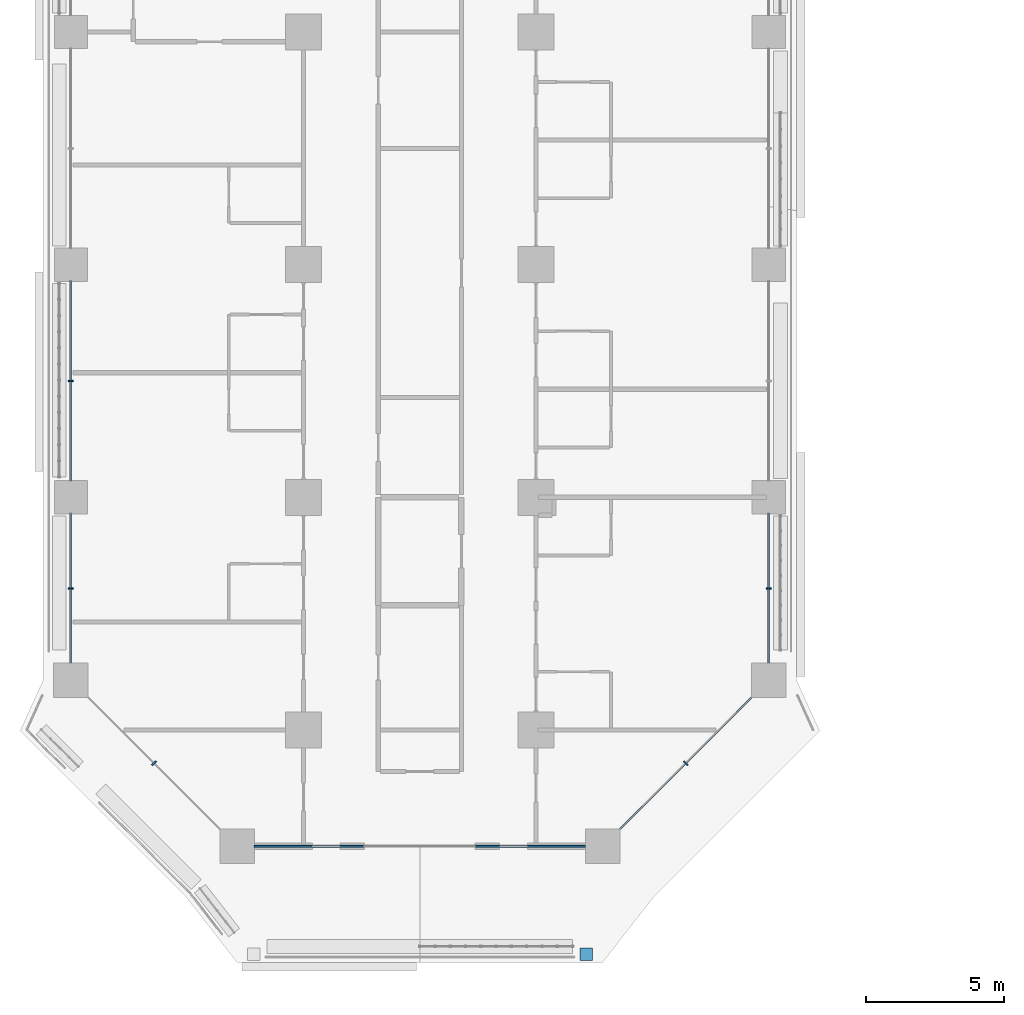
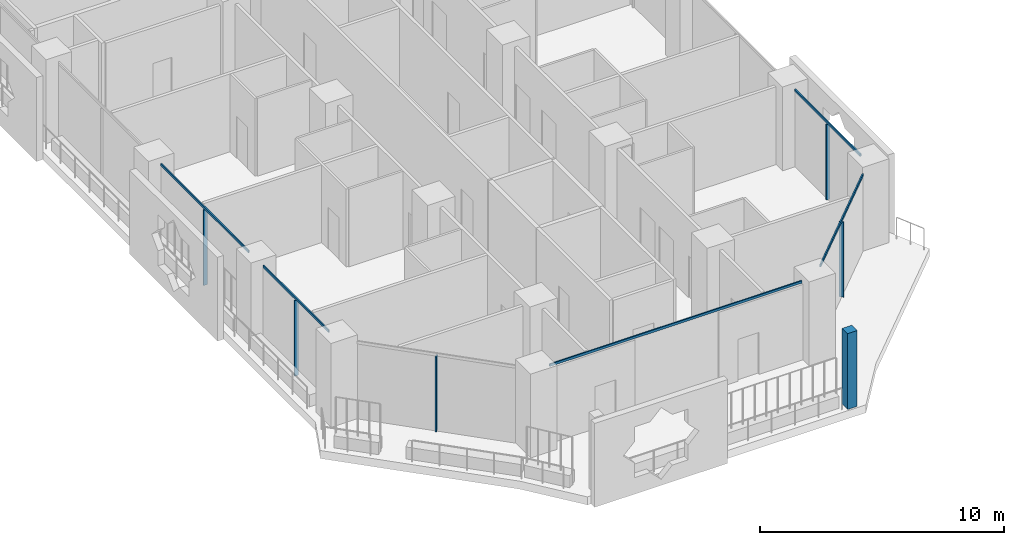
# One storey, part 2 of 29: 11 members, 6 elements without a shape of their own.
"""IFC4 building model written with IfcOpenShell, lengths in metres."""

from ifc_helpers import new_model, si_unit, direction, frame, origin, origin_2d, place, context, subcontext, project, spatial, rectangle, extrude, material, layer, layer_set, material_profile, profile_set, type_object, element, aggregate, save


model = new_model("IFC4")

# Units and contexts
model_context = context("Model", 3, precision=1e-05, world=origin(), true_north=direction((0.0, 1.0)))
body_context = subcontext(model_context, "Body", "Model", "MODEL_VIEW")
ifc_project = project(units=[si_unit("LENGTHUNIT", "METRE"), si_unit("AREAUNIT", "SQUARE_METRE"), si_unit("VOLUMEUNIT", "CUBIC_METRE"), si_unit("PLANEANGLEUNIT", "RADIAN"), si_unit("MASSUNIT", "GRAM", prefix="KILO")], contexts=[model_context])

# Site, building, storey
site_placement = place(None, origin())
site = spatial("IfcSite", under=ifc_project, at=site_placement, CompositionType="ELEMENT")
building_placement = place(site_placement, origin())
building = spatial("IfcBuilding", under=site, at=building_placement, Name="Kawkab Arch Medical Tower", CompositionType="ELEMENT")
storey_placement = place(building_placement, frame((0.0, 0.0, 60.199951171875)))
storey = spatial("IfcBuildingStorey", under=building, at=storey_placement, Name="L13", CompositionType="ELEMENT", Elevation=60.199951171875)

# Curtain wall, members
ifc_material_1 = material(Name="Bronze anodised aluminium curtain wall frame", Category="aluminium")
ifc_layer_1 = layer(ifc_material_1, 0.159912109375)
ifc_layer_set_1 = layer_set([ifc_layer_1], Name="Bronze anodised aluminium curtain wall frame")
curtain_wall_type_1 = type_object("IfcCurtainWallType", Name="CW1 ward curtain wall", PredefinedType="NOTDEFINED", material=ifc_layer_set_1)
placement = place(storey_placement, origin())
curtain_wall_1 = element("IfcCurtainWall", 1, at=placement, inside=storey, type_object=curtain_wall_type_1, Name="CW1 Ward curtain wall R01", PredefinedType="NOTDEFINED")
ifc_material_2 = material(Name="Bronze anodised aluminium curtain wall frame", Category="aluminium")
ifc_material_profile_1 = material_profile(ifc_material_2, rectangle(XDim=0.179931640625, YDim=0.06005859375, at=origin_2d()), Name="AL 60x180")
ifc_profile_set_1 = profile_set([ifc_material_profile_1], Name="Bronze anodised aluminium curtain wall frame")
member_type_1 = type_object("IfcMemberType", Name="CW1 mullion 60 x 180", PredefinedType="MULLION", material=ifc_profile_set_1)
member_1_placement = place(storey_placement, frame((0.0, -54.60009765625, 0.0), z_axis=(0.0, 0.0, 1.0), x_axis=(1.0, 0.0, 0.0)))
member_1 = element("IfcMember", 2, at=member_1_placement, type_object=member_type_1, Name="CW1 mullion 6.1", PredefinedType="MULLION", context=body_context, shape_type="SweptSolid", body=[
    extrude(rectangle(XDim=0.179931640625, YDim=0.06005859375, at=origin_2d()), origin(), (0.0, 0.0, 1.0), 3.780029296875),
])
member_2_placement = place(storey_placement, frame((0.0, -62.08740234375, 0.0), z_axis=(0.0, 0.0, 1.0), x_axis=(1.0, 0.0, 0.0)))
member_2 = element("IfcMember", 3, at=member_2_placement, type_object=member_type_1, Name="CW1 mullion 7.1", PredefinedType="MULLION", context=body_context, shape_type="SweptSolid", body=[
    extrude(rectangle(XDim=0.179931640625, YDim=0.06005859375, at=origin_2d()), origin(), (0.0, 0.0, 1.0), 3.780029296875),
])

# Curtain wall, member
curtain_wall_2 = element("IfcCurtainWall", 4, at=placement, inside=storey, type_object=curtain_wall_type_1, Name="CW1 Ward curtain wall R05", PredefinedType="NOTDEFINED")
member_3_placement = place(storey_placement, frame((25.199951171875, -62.08740234375, 0.0), z_axis=(0.0, 0.0, 1.0), x_axis=(-1.0, 0.0, 0.0)))
member_3 = element("IfcMember", 5, at=member_3_placement, type_object=member_type_1, Name="CW1 mullion 1.1", PredefinedType="MULLION", context=body_context, shape_type="SweptSolid", body=[
    extrude(rectangle(XDim=0.179931640625, YDim=0.06005859375, at=origin_2d()), origin(), (0.0, 0.0, 1.0), 3.780029296875),
])

# Member
ifc_material_3 = material(Name="Bronze anodised aluminium curtain wall frame", Category="aluminium")
ifc_material_profile_2 = material_profile(ifc_material_3, rectangle(XDim=0.06005859375, YDim=0.1201171875, at=origin_2d()), Name="AL 60x120")
ifc_profile_set_2 = profile_set([ifc_material_profile_2], Name="Bronze anodised aluminium curtain wall frame")
member_type_2 = type_object("IfcMemberType", Name="CW1 transom 120 x 60", PredefinedType="USERDEFINED", material=ifc_profile_set_2)
member_4_placement = place(storey_placement, frame((0.0, -51.0, 3.840087890625), z_axis=(0.0, -1.0, 0.0), x_axis=(1.0, 0.0, 0.0)))
member_4 = element("IfcMember", 6, at=member_4_placement, type_object=member_type_2, Name="CW1 transom 6", ObjectType="TRANSOM", PredefinedType="USERDEFINED", context=body_context, shape_type="SweptSolid", body=[
    extrude(rectangle(XDim=0.06005859375, YDim=0.1201171875, at=origin_2d()), origin(), (0.0, 0.0, 1.0), 7.199951171875),
])

member_5_placement = place(storey_placement, frame((0.0, -59.39990234375, 3.840087890625), z_axis=(0.0, -1.0, 0.0), x_axis=(1.0, 0.0, 0.0)))
member_5 = element("IfcMember", 7, at=member_5_placement, type_object=member_type_2, Name="CW1 transom 7", ObjectType="TRANSOM", PredefinedType="USERDEFINED", context=body_context, shape_type="SweptSolid", body=[
    extrude(rectangle(XDim=0.06005859375, YDim=0.1201171875, at=origin_2d()), origin(), (0.0, 0.0, 1.0), 5.375),
])

aggregate(curtain_wall_1, [member_4, member_1, member_5, member_2])

# Curtain wall, member
curtain_wall_3 = element("IfcCurtainWall", 8, at=placement, inside=storey, type_object=curtain_wall_type_1, Name="CW1 Ward curtain wall R03", PredefinedType="NOTDEFINED")
member_6_placement = place(storey_placement, frame((6.625, -71.39990234375, 3.840087890625), z_axis=(1.0, 0.0, 0.0), x_axis=(0.0, 1.0, 0.0)))
member_6 = element("IfcMember", 9, at=member_6_placement, type_object=member_type_2, Name="CW1 transom 1", ObjectType="TRANSOM", PredefinedType="USERDEFINED", context=body_context, shape_type="SweptSolid", body=[
    extrude(rectangle(XDim=0.06005859375, YDim=0.1201171875, at=origin_2d()), origin(), (0.0, 0.0, 1.0), 11.949951171875),
])
aggregate(curtain_wall_3, [member_6])

# Member
member_7_placement = place(storey_placement, frame((25.199951171875, -64.77490234375, 3.840087890625), z_axis=(0.0, 1.0, 0.0), x_axis=(-1.0, 0.0, 0.0)))
member_7 = element("IfcMember", 10, at=member_7_placement, type_object=member_type_2, Name="CW1 transom 1", ObjectType="TRANSOM", PredefinedType="USERDEFINED", context=body_context, shape_type="SweptSolid", body=[
    extrude(rectangle(XDim=0.06005859375, YDim=0.1201171875, at=origin_2d()), origin(), (0.0, 0.0, 1.0), 5.375),
])

aggregate(curtain_wall_2, [member_7, member_3])

# Curtain wall, member
ifc_material_4 = material(Name="Bronze anodised aluminium curtain wall frame", Category="aluminium")
ifc_layer_2 = layer(ifc_material_4, 0.159912109375)
ifc_layer_set_2 = layer_set([ifc_layer_2], Name="Bronze anodised aluminium curtain wall frame")
curtain_wall_type_2 = type_object("IfcCurtainWallType", Name="CW2 chamfer curtain wall", PredefinedType="NOTDEFINED", material=ifc_layer_set_2)
curtain_wall_4 = element("IfcCurtainWall", 11, at=placement, inside=storey, type_object=curtain_wall_type_2, Name="CW2 Chamfer curtain wall R02", PredefinedType="NOTDEFINED")
ifc_material_5 = material(Name="Bronze anodised aluminium curtain wall frame", Category="aluminium")
ifc_material_profile_3 = material_profile(ifc_material_5, rectangle(XDim=0.199951171875, YDim=0.06005859375, at=origin_2d()), Name="AL 60x200")
ifc_profile_set_3 = profile_set([ifc_material_profile_3], Name="Bronze anodised aluminium curtain wall frame")
member_type_3 = type_object("IfcMemberType", Name="CW2 mullion 60 x 200", PredefinedType="MULLION", material=ifc_profile_set_3)
member_8_placement = place(storey_placement, frame((3.0, -68.39990234375, 0.0), z_axis=(0.0, 0.0, 1.0), x_axis=(0.707106781187, 0.707106781187, 0.0)))
member_8 = element("IfcMember", 12, at=member_8_placement, type_object=member_type_3, Name="CW2 mullion 1.1", PredefinedType="MULLION", context=body_context, shape_type="SweptSolid", body=[
    extrude(rectangle(XDim=0.199951171875, YDim=0.06005859375, at=origin_2d()), origin(), (0.0, 0.0, 1.0), 3.760009765625),
])
aggregate(curtain_wall_4, [member_8])

# Curtain wall, members
curtain_wall_5 = element("IfcCurtainWall", 13, at=placement, inside=storey, type_object=curtain_wall_type_2, Name="CW2 Chamfer curtain wall R04", PredefinedType="NOTDEFINED")
member_9_placement = place(storey_placement, frame((22.199951171875, -68.39990234375, 0.0), z_axis=(0.0, 0.0, 1.0), x_axis=(-0.707106781187, 0.707106781187, 0.0)))
member_9 = element("IfcMember", 14, at=member_9_placement, type_object=member_type_3, Name="CW2 mullion 1.1", PredefinedType="MULLION", context=body_context, shape_type="SweptSolid", body=[
    extrude(rectangle(XDim=0.199951171875, YDim=0.06005859375, at=origin_2d()), origin(), (0.0, 0.0, 1.0), 3.760009765625),
])
ifc_material_6 = material(Name="Bronze anodised aluminium curtain wall frame", Category="aluminium")
ifc_material_profile_4 = material_profile(ifc_material_6, rectangle(XDim=0.06005859375, YDim=0.139892578125, at=origin_2d()), Name="AL 60x140")
ifc_profile_set_4 = profile_set([ifc_material_profile_4], Name="Bronze anodised aluminium curtain wall frame")
member_type_4 = type_object("IfcMemberType", Name="CW2 transom 140 x 60", PredefinedType="USERDEFINED", material=ifc_profile_set_4)
member_10_placement = place(storey_placement, frame((19.824951171875, -70.77490234375, 3.830078125), z_axis=(0.707106781187, 0.707106781187, 0.0), x_axis=(-0.707106781187, 0.707106781187, 0.0)))
member_10 = element("IfcMember", 15, at=member_10_placement, type_object=member_type_4, Name="CW2 transom 1", ObjectType="TRANSOM", PredefinedType="USERDEFINED", context=body_context, shape_type="SweptSolid", body=[
    extrude(rectangle(XDim=0.06005859375, YDim=0.139892578125, at=origin_2d()), origin(), (0.0, 0.0, 1.0), 6.717529296875),
])
aggregate(curtain_wall_5, [member_10, member_9])

# Curtain wall, member
ifc_material_7 = material(Name="Bronze anodised aluminium climber frame, planted", Category="aluminium")
ifc_layer_3 = layer(ifc_material_7, 0.449951171875)
ifc_layer_set_3 = layer_set([ifc_layer_3], Name="Bronze anodised aluminium climber frame, planted")
curtain_wall_type_3 = type_object("IfcCurtainWallType", Name="Planted climber frame", PredefinedType="NOTDEFINED", material=ifc_layer_set_3)
curtain_wall_6 = element("IfcCurtainWall", 16, at=placement, inside=storey, type_object=curtain_wall_type_3, Name="Planted climber frame L13", PredefinedType="NOTDEFINED")
ifc_material_8 = material(Name="Bronze anodised aluminium climber frame, planted", Category="aluminium")
ifc_material_profile_5 = material_profile(ifc_material_8, rectangle(XDim=0.449951171875, YDim=0.449951171875, at=origin_2d()), Name="Post 450x450")
ifc_profile_set_5 = profile_set([ifc_material_profile_5], Name="Bronze anodised aluminium climber frame, planted")
member_type_5 = type_object("IfcMemberType", Name="Planted climber post 450 x 450", PredefinedType="MULLION", material=ifc_profile_set_5)
member_11_placement = place(storey_placement, frame((18.60302734375, -75.300048828125, 0.0), z_axis=(0.0, 0.0, 1.0), x_axis=(1.0, 0.0, 0.0)))
member_11 = element("IfcMember", 17, at=member_11_placement, type_object=member_type_5, Name="Planted climber post L13.LOG-01-01.1", PredefinedType="MULLION", context=body_context, shape_type="SweptSolid", body=[
    extrude(rectangle(XDim=0.449951171875, YDim=0.449951171875, at=origin_2d()), origin(), (0.0, 0.0, 1.0), 3.800048828125),
])
aggregate(curtain_wall_6, [member_11])

save(model, "model.ifc")
